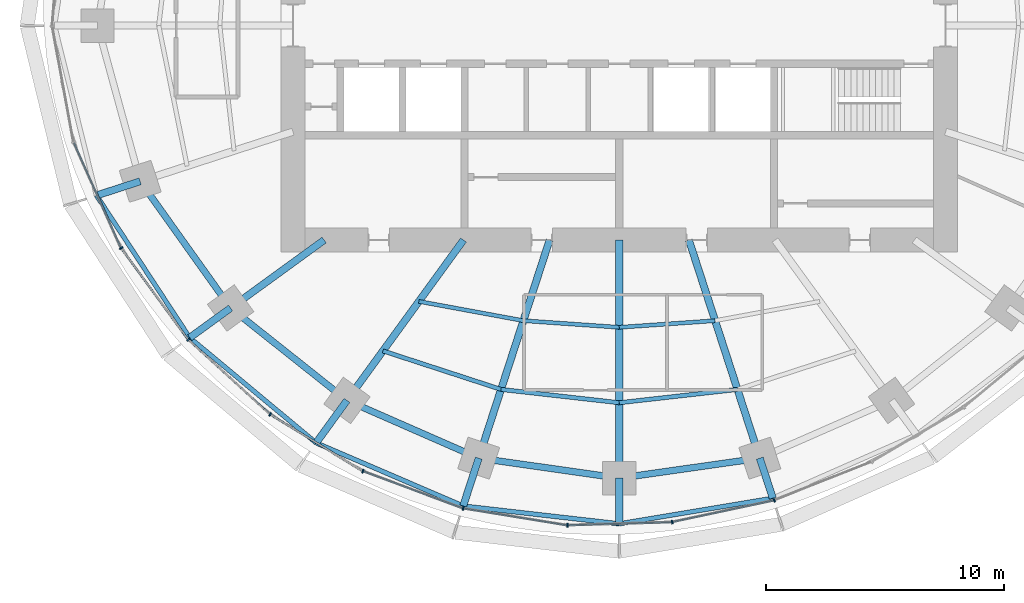
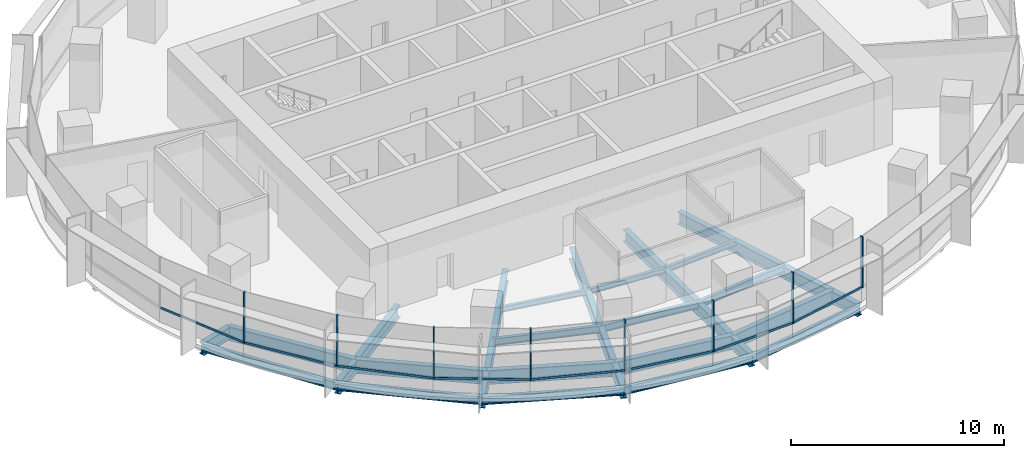
# One storey, part 2 of 14: 27 beams, 16 members, 2 elements without a shape of their own.
"""IFC4 building model written with IfcOpenShell, lengths in metres."""

from ifc_helpers import new_model, si_unit, direction, frame, origin, origin_2d, place, context, subcontext, project, spatial, rectangle, i_section, extrude, material, material_profile, profile_set, type_object, element, aggregate, save


model = new_model("IFC4")

# Units and contexts
model_context = context("Model", 3, precision=1e-05, world=origin(), true_north=direction((0.0, 1.0)))
body_context = subcontext(model_context, "Body", "Model", "MODEL_VIEW")
ifc_project = project(units=[si_unit("LENGTHUNIT", "METRE"), si_unit("AREAUNIT", "SQUARE_METRE"), si_unit("VOLUMEUNIT", "CUBIC_METRE"), si_unit("PLANEANGLEUNIT", "RADIAN"), si_unit("MASSUNIT", "GRAM", prefix="KILO")], contexts=[model_context])

# Site, building, storey
site_placement = place(None, origin())
site = spatial("IfcSite", under=ifc_project, at=site_placement, CompositionType="ELEMENT")
building_placement = place(site_placement, origin())
building = spatial("IfcBuilding", under=site, at=building_placement, Name="Marramba Exchange Tower", CompositionType="ELEMENT")
storey_placement = place(building_placement, frame((0.0, 0.0, 218.89990234375)))
storey = spatial("IfcBuildingStorey", under=building, at=storey_placement, Name="L53", CompositionType="ELEMENT", Elevation=218.89990234375)

# Beams
ifc_material_1 = material(Name="Steel AS/NZS 3679.2 grade 300", Category="steel")
ifc_material_profile_1 = material_profile(ifc_material_1, i_section(OverallWidth=0.300048828125, OverallDepth=0.699951171875, WebThickness=0.010009765625, FlangeThickness=0.031982421875, at=origin_2d()), Name="700WB173")
ifc_profile_set_1 = profile_set([ifc_material_profile_1], Name="Steel AS/NZS 3679.2 grade 300")
beam_type_1 = type_object("IfcBeamType", Name="Cantilever girder 700WB173", PredefinedType="BEAM", material=ifc_profile_set_1)
beam_1_placement = place(storey_placement, frame((-20.109375, -6.533935546875, -0.510009765625), z_axis=(-0.951071238541, -0.308971680287, 0.0), x_axis=(0.308971680287, -0.951071238541, 0.0)))
element("IfcBeam", 1, at=beam_1_placement, inside=storey, type_object=beam_type_1, Name="Cantilever girder L53 TC12", PredefinedType="BEAM", context=body_context, shape_type="SweptSolid", body=[
    extrude(i_section(OverallWidth=0.300048828125, OverallDepth=0.699951171875, WebThickness=0.010009765625, FlangeThickness=0.031982421875, at=origin_2d()), origin(), (0.0, 0.0, 1.0), 1.930419921875),
])
beam_2_placement = place(storey_placement, frame((-16.3154296875, -11.853759765625, -0.510009765625), z_axis=(-0.808969966943, -0.587849974555, 0.0), x_axis=(0.587849974555, -0.808969966943, 0.0)))
element("IfcBeam", 2, at=beam_2_placement, inside=storey, type_object=beam_type_1, Name="Cantilever girder L53 TC13", PredefinedType="BEAM", context=body_context, shape_type="SweptSolid", body=[
    extrude(i_section(OverallWidth=0.300048828125, OverallDepth=0.699951171875, WebThickness=0.010009765625, FlangeThickness=0.031982421875, at=origin_2d()), origin(), (0.0, 0.0, 1.0), 2.12109375),
])
beam_3_placement = place(storey_placement, frame((-11.430419921875, -15.732666015625, -0.510009765625), z_axis=(-0.587789596657, -0.809013837992, 0.0), x_axis=(0.809013837992, -0.587789596657, 0.0)))
element("IfcBeam", 3, at=beam_3_placement, inside=storey, type_object=beam_type_1, Name="Cantilever girder L53 TC14", PredefinedType="BEAM", context=body_context, shape_type="SweptSolid", body=[
    extrude(i_section(OverallWidth=0.300048828125, OverallDepth=0.699951171875, WebThickness=0.010009765625, FlangeThickness=0.031982421875, at=origin_2d()), origin(), (0.0, 0.0, 1.0), 2.203857421875),
])
beam_4_placement = place(storey_placement, frame((-5.899658203125, -18.156982421875, -0.510009765625), z_axis=(-0.308971068529, -0.951071437281, 0.0), x_axis=(0.951071437281, -0.308971068529, 0.0)))
element("IfcBeam", 4, at=beam_4_placement, inside=storey, type_object=beam_type_1, Name="Cantilever girder L53 TC15", PredefinedType="BEAM", context=body_context, shape_type="SweptSolid", body=[
    extrude(i_section(OverallWidth=0.300048828125, OverallDepth=0.699951171875, WebThickness=0.010009765625, FlangeThickness=0.031982421875, at=origin_2d()), origin(), (0.0, 0.0, 1.0), 2.112060546875),
])
beam_5_placement = place(storey_placement, frame((0.0, -18.99609375, -0.510009765625), z_axis=(0.0, -1.0, 0.0), x_axis=(1.0, 0.0, 0.0)))
element("IfcBeam", 5, at=beam_5_placement, inside=storey, type_object=beam_type_1, Name="Cantilever girder L53 TC16", PredefinedType="BEAM", context=body_context, shape_type="SweptSolid", body=[
    extrude(i_section(OverallWidth=0.300048828125, OverallDepth=0.699951171875, WebThickness=0.010009765625, FlangeThickness=0.031982421875, at=origin_2d()), origin(), (0.0, 0.0, 1.0), 1.917724609375),
])
beam_6_placement = place(storey_placement, frame((5.899658203125, -18.156982421875, -0.510009765625), z_axis=(0.308926813415, -0.951085813138, 0.0), x_axis=(0.951085813138, 0.308926813415, 0.0)))
element("IfcBeam", 6, at=beam_6_placement, inside=storey, type_object=beam_type_1, Name="Cantilever girder L53 TC17", PredefinedType="BEAM", context=body_context, shape_type="SweptSolid", body=[
    extrude(i_section(OverallWidth=0.300048828125, OverallDepth=0.699951171875, WebThickness=0.010009765625, FlangeThickness=0.031982421875, at=origin_2d()), origin(), (0.0, 0.0, 1.0), 1.767822265625),
])
ifc_material_2 = material(Name="Steel AS/NZS 3679.1 grade 300", Category="steel")
ifc_material_profile_2 = material_profile(ifc_material_2, i_section(OverallWidth=0.166015625, OverallDepth=0.306884765625, WebThickness=0.006591796875, FlangeThickness=0.01171875, FilletRadius=0.011474609375, at=origin_2d()), Name="310UB46.2")
ifc_profile_set_2 = profile_set([ifc_material_profile_2], Name="Steel AS/NZS 3679.1 grade 300")
beam_type_2 = type_object("IfcBeamType", Name="Floor joist 310UB46.2", PredefinedType="JOIST", material=ifc_profile_set_2)
beam_7_placement = place(storey_placement, frame((-8.41162109375, -11.57763671875, -0.3134765625), z_axis=(0.983455754421, -0.181148500119, 0.0), x_axis=(0.181148500119, 0.983455754421, 0.0)))
element("IfcBeam", 7, at=beam_7_placement, inside=storey, type_object=beam_type_2, Name="Joist L53 bay 14 row 1", PredefinedType="JOIST", context=body_context, shape_type="SweptSolid", body=[
    extrude(i_section(OverallWidth=0.166015625, OverallDepth=0.306884765625, WebThickness=0.006591796875, FlangeThickness=0.01171875, FilletRadius=0.011474609375, at=origin_2d()), origin(), (0.0, 0.0, 1.0), 4.4609375),
])
for number, where, z_axis, x_axis, name in (
    (8, (-4.0244140625, -12.3857421875, -0.3134765625), (0.99759625901, -0.069294328838, 0.0), (0.069294328838, 0.99759625901, 0.0), "Joist L53 bay 15 row 1"),
    (9, (0.0, -12.665283203125, -0.3134765625), (0.99759625901, 0.069294328838, 0.0), (-0.069294328838, 0.99759625901, 0.0), "Joist L53 bay 16 row 1"),
):
    element("IfcBeam", number, at=place(storey_placement, frame(where, z_axis=z_axis, x_axis=x_axis)), inside=storey, type_object=beam_type_2, Name=name, PredefinedType="JOIST", context=body_context, shape_type="SweptSolid", body=[
        extrude(i_section(OverallWidth=0.166015625, OverallDepth=0.306884765625, WebThickness=0.006591796875, FlangeThickness=0.01171875, FilletRadius=0.011474609375, at=origin_2d()), origin(), (0.0, 0.0, 1.0), 4.0341796875),
    ])
ifc_material_profile_3 = material_profile(ifc_material_2, i_section(OverallWidth=0.177978515625, OverallDepth=0.406005859375, WebThickness=0.0078125, FlangeThickness=0.0126953125, FilletRadius=0.011474609375, at=origin_2d()), Name="410UB59.7")
ifc_profile_set_3 = profile_set([ifc_material_profile_3], Name="Steel AS/NZS 3679.1 grade 300")
beam_type_3 = type_object("IfcBeamType", Name="Floor joist 410UB59.7", PredefinedType="JOIST", material=ifc_profile_set_3)
beam_8_placement = place(storey_placement, frame((-9.9208984375, -13.655029296875, -0.36279296875), z_axis=(0.950764024931, -0.309915744834, 0.0), x_axis=(0.309915744834, 0.950764024931, 0.0)))
element("IfcBeam", 10, at=beam_8_placement, inside=storey, type_object=beam_type_3, Name="Joist L53 bay 14 row 2", PredefinedType="JOIST", context=body_context, shape_type="SweptSolid", body=[
    extrude(i_section(OverallWidth=0.177978515625, OverallDepth=0.406005859375, WebThickness=0.0078125, FlangeThickness=0.0126953125, FilletRadius=0.011474609375, at=origin_2d()), origin(), (0.0, 0.0, 1.0), 5.2158203125),
])
for number, where, z_axis, x_axis, name in (
    (11, (-4.9619140625, -15.271484375, -0.36279296875), (0.993712018573, -0.111966174106, 0.0), (0.111966174106, 0.993712018573, 0.0), "Joist L53 bay 15 row 2"),
    (12, (0.0, -15.83056640625, -0.36279296875), (0.993712018573, 0.111966174106, 0.0), (-0.111966174106, 0.993712018573, 0.0), "Joist L53 bay 16 row 2"),
):
    element("IfcBeam", number, at=place(storey_placement, frame(where, z_axis=z_axis, x_axis=x_axis)), inside=storey, type_object=beam_type_3, Name=name, PredefinedType="JOIST", context=body_context, shape_type="SweptSolid", body=[
        extrude(i_section(OverallWidth=0.177978515625, OverallDepth=0.406005859375, WebThickness=0.0078125, FlangeThickness=0.0126953125, FilletRadius=0.011474609375, at=origin_2d()), origin(), (0.0, 0.0, 1.0), 4.993408203125),
    ])

# Curtain wall, members
ifc_material_3 = material(Name="Aluminium framing, bronze anodised", Category="aluminium")
curtain_wall_type = type_object("IfcCurtainWallType", Name="Office ribbon curtain wall", PredefinedType="USERDEFINED", material=ifc_material_3)
curtain_wall_1_placement = place(storey_placement, origin())
curtain_wall_1 = element("IfcCurtainWall", 13, at=curtain_wall_1_placement, inside=storey, type_object=curtain_wall_type, Name="Curtain wall CW4 L53 F16-F20", ObjectType="RIBBON CURTAIN WALL", PredefinedType="USERDEFINED")
ifc_material_4 = material(Name="Aluminium mullion, bronze anodised", Category="aluminium")
ifc_material_profile_4 = material_profile(ifc_material_4, rectangle(XDim=0.159912109375, YDim=0.06005859375, at=origin_2d()), Name="CW4 mullion 60x160")
ifc_profile_set_4 = profile_set([ifc_material_profile_4], Name="Aluminium mullion, bronze anodised")
member_type_1 = type_object("IfcMemberType", Name="Office ribbon curtain wall mullion", PredefinedType="MULLION", material=ifc_profile_set_4)
member_1_placement = place(storey_placement, frame((-20.910400390625, -9.342041015625, 0.800048828125), z_axis=(0.0, 0.0, 1.0), x_axis=(0.806508054547, 0.591223103363, 0.0)))
member_1 = element("IfcMember", 14, at=member_1_placement, type_object=member_type_1, Name="CW4 mullion 1", PredefinedType="MULLION", context=body_context, shape_type="SweptSolid", body=[
    extrude(rectangle(XDim=0.159912109375, YDim=0.06005859375, at=origin_2d()), origin(), (0.0, 0.0, 1.0), 2.93994140625),
])
member_2_placement = place(storey_placement, frame((-18.090087890625, -13.179443359375, 0.800048828125), z_axis=(0.0, 0.0, 1.0), x_axis=(0.67567103474, 0.737203264245, 0.0)))
member_2 = element("IfcMember", 15, at=member_2_placement, type_object=member_type_1, Name="CW4 mullion 1", PredefinedType="MULLION", context=body_context, shape_type="SweptSolid", body=[
    extrude(rectangle(XDim=0.159912109375, YDim=0.06005859375, at=origin_2d()), origin(), (0.0, 0.0, 1.0), 2.93994140625),
])
member_3_placement = place(storey_placement, frame((-14.655029296875, -16.320068359375, 0.800048828125), z_axis=(0.0, 0.0, 1.0), x_axis=(0.52305160869, 0.85230101176, 0.0)))
member_3 = element("IfcMember", 16, at=member_3_placement, type_object=member_type_1, Name="CW4 mullion 1", PredefinedType="MULLION", context=body_context, shape_type="SweptSolid", body=[
    extrude(rectangle(XDim=0.159912109375, YDim=0.06005859375, at=origin_2d()), origin(), (0.0, 0.0, 1.0), 2.93994140625),
])

curtain_wall_2_placement = place(storey_placement, origin())
curtain_wall_2 = element("IfcCurtainWall", 17, at=curtain_wall_2_placement, inside=storey, type_object=curtain_wall_type, Name="Curtain wall CW4 L53 F21-F25", ObjectType="RIBBON CURTAIN WALL", PredefinedType="USERDEFINED")
member_4_placement = place(storey_placement, frame((-10.76318359375, -18.70166015625, 0.800048828125), z_axis=(0.0, 0.0, 1.0), x_axis=(0.349459197687, 0.936951583142, 0.0)))
member_4 = element("IfcMember", 18, at=member_4_placement, type_object=member_type_1, Name="CW4 mullion 1", PredefinedType="MULLION", context=body_context, shape_type="SweptSolid", body=[
    extrude(rectangle(XDim=0.159912109375, YDim=0.06005859375, at=origin_2d()), origin(), (0.0, 0.0, 1.0), 2.93994140625),
])
member_5_placement = place(storey_placement, frame((-6.553466796875, -20.265625, 0.800048828125), z_axis=(0.0, 0.0, 1.0), x_axis=(0.161145726194, 0.986930623159, 0.0)))
member_5 = element("IfcMember", 19, at=member_5_placement, type_object=member_type_1, Name="CW4 mullion 1", PredefinedType="MULLION", context=body_context, shape_type="SweptSolid", body=[
    extrude(rectangle(XDim=0.159912109375, YDim=0.06005859375, at=origin_2d()), origin(), (0.0, 0.0, 1.0), 2.93994140625),
])
member_6_placement = place(storey_placement, frame((-2.174560546875, -20.974853515625, 0.800048828125), z_axis=(0.0, 0.0, 1.0), x_axis=(-0.029393451762, 0.99956791915, 0.0)))
member_6 = element("IfcMember", 20, at=member_6_placement, type_object=member_type_1, Name="CW4 mullion 1", PredefinedType="MULLION", context=body_context, shape_type="SweptSolid", body=[
    extrude(rectangle(XDim=0.159912109375, YDim=0.06005859375, at=origin_2d()), origin(), (0.0, 0.0, 1.0), 2.93994140625),
])
member_7_placement = place(storey_placement, frame((2.220458984375, -20.840087890625, 0.800048828125), z_axis=(0.0, 0.0, 1.0), x_axis=(-0.208332456608, 0.978058069607, 0.0)))
member_7 = element("IfcMember", 21, at=member_7_placement, type_object=member_type_1, Name="CW4 mullion 1", PredefinedType="MULLION", context=body_context, shape_type="SweptSolid", body=[
    extrude(rectangle(XDim=0.159912109375, YDim=0.06005859375, at=origin_2d()), origin(), (0.0, 0.0, 1.0), 2.93994140625),
])
member_8_placement = place(storey_placement, frame((6.504638671875, -19.922607421875, 0.800048828125), z_axis=(0.0, 0.0, 1.0), x_axis=(-0.367374724195, 0.93007301435, 0.0)))
member_8 = element("IfcMember", 22, at=member_8_placement, type_object=member_type_1, Name="CW4 mullion 1", PredefinedType="MULLION", context=body_context, shape_type="SweptSolid", body=[
    extrude(rectangle(XDim=0.159912109375, YDim=0.06005859375, at=origin_2d()), origin(), (0.0, 0.0, 1.0), 2.93994140625),
])

# Member
ifc_material_5 = material(Name="Aluminium transom, bronze anodised", Category="aluminium")
ifc_material_profile_5 = material_profile(ifc_material_5, rectangle(XDim=0.06005859375, YDim=0.1201171875, at=origin_2d()), Name="CW4 transom 60x120")
ifc_profile_set_5 = profile_set([ifc_material_profile_5], Name="Aluminium transom, bronze anodised")
member_type_2 = type_object("IfcMemberType", Name="Office ribbon curtain wall transom", PredefinedType="USERDEFINED", material=ifc_profile_set_5)
member_9_placement = place(storey_placement, frame((-22.888671875, -4.925048828125, 0.830078125), z_axis=(0.407541263131, -0.913186792965, 0.0), x_axis=(0.913186792965, 0.407541263131, 0.0)))
member_9 = element("IfcMember", 23, at=member_9_placement, type_object=member_type_2, Name="CW4 sill transom", ObjectType="TRANSOM", PredefinedType="USERDEFINED", context=body_context, shape_type="SweptSolid", body=[
    extrude(rectangle(XDim=0.06005859375, YDim=0.1201171875, at=origin_2d()), origin(), (0.0, 0.0, 1.0), 4.810546875),
])

member_10_placement = place(storey_placement, frame((-20.892578125, -9.3662109375, 0.830078125), z_axis=(0.591226373184, -0.806505657545, 0.0), x_axis=(0.806505657545, 0.591226373184, 0.0)))
member_10 = element("IfcMember", 24, at=member_10_placement, type_object=member_type_2, Name="CW4 sill transom", ObjectType="TRANSOM", PredefinedType="USERDEFINED", context=body_context, shape_type="SweptSolid", body=[
    extrude(rectangle(XDim=0.06005859375, YDim=0.1201171875, at=origin_2d()), origin(), (0.0, 0.0, 1.0), 4.702880859375),
])

member_11_placement = place(storey_placement, frame((-18.06787109375, -13.19970703125, 0.830078125), z_axis=(0.737176195283, -0.675700567639, 0.0), x_axis=(0.675700567639, 0.737176195283, 0.0)))
member_11 = element("IfcMember", 25, at=member_11_placement, type_object=member_type_2, Name="CW4 sill transom", ObjectType="TRANSOM", PredefinedType="USERDEFINED", context=body_context, shape_type="SweptSolid", body=[
    extrude(rectangle(XDim=0.06005859375, YDim=0.1201171875, at=origin_2d()), origin(), (0.0, 0.0, 1.0), 4.5947265625),
])

member_12_placement = place(storey_placement, frame((-14.62939453125, -16.335693359375, 0.830078125), z_axis=(0.852298011003, -0.523056498325, 0.0), x_axis=(0.523056498325, 0.852298011003, 0.0)))
member_12 = element("IfcMember", 26, at=member_12_placement, type_object=member_type_2, Name="CW4 sill transom", ObjectType="TRANSOM", PredefinedType="USERDEFINED", context=body_context, shape_type="SweptSolid", body=[
    extrude(rectangle(XDim=0.06005859375, YDim=0.1201171875, at=origin_2d()), origin(), (0.0, 0.0, 1.0), 4.503173828125),
])

aggregate(curtain_wall_1, [member_9, member_1, member_10, member_2, member_11, member_3, member_12])

member_13_placement = place(storey_placement, frame((-10.735107421875, -18.712158203125, 0.830078125), z_axis=(0.936954830677, -0.349450490444, 0.0), x_axis=(0.349450490444, 0.936954830677, 0.0)))
member_13 = element("IfcMember", 27, at=member_13_placement, type_object=member_type_2, Name="CW4 sill transom", ObjectType="TRANSOM", PredefinedType="USERDEFINED", context=body_context, shape_type="SweptSolid", body=[
    extrude(rectangle(XDim=0.06005859375, YDim=0.1201171875, at=origin_2d()), origin(), (0.0, 0.0, 1.0), 4.431396484375),
])

member_14_placement = place(storey_placement, frame((-6.52392578125, -20.2705078125, 0.830078125), z_axis=(0.986937225488, -0.161105285282, 0.0), x_axis=(0.161105285282, 0.986937225488, 0.0)))
member_14 = element("IfcMember", 28, at=member_14_placement, type_object=member_type_2, Name="CW4 sill transom", ObjectType="TRANSOM", PredefinedType="USERDEFINED", context=body_context, shape_type="SweptSolid", body=[
    extrude(rectangle(XDim=0.06005859375, YDim=0.1201171875, at=origin_2d()), origin(), (0.0, 0.0, 1.0), 4.37646484375),
])

member_15_placement = place(storey_placement, frame((-2.144775390625, -20.973876953125, 0.830078125), z_axis=(0.999568338005, 0.029379204529, 0.0), x_axis=(-0.029379204529, 0.999568338005, 0.0)))
member_15 = element("IfcMember", 29, at=member_15_placement, type_object=member_type_2, Name="CW4 sill transom", ObjectType="TRANSOM", PredefinedType="USERDEFINED", context=body_context, shape_type="SweptSolid", body=[
    extrude(rectangle(XDim=0.06005859375, YDim=0.1201171875, at=origin_2d()), origin(), (0.0, 0.0, 1.0), 4.337890625),
])

member_16_placement = place(storey_placement, frame((2.249755859375, -20.833984375, 0.830078125), z_axis=(0.978057951839, 0.208333009494, 0.0), x_axis=(-0.208333009494, 0.978057951839, 0.0)))
member_16 = element("IfcMember", 30, at=member_16_placement, type_object=member_type_2, Name="CW4 sill transom", ObjectType="TRANSOM", PredefinedType="USERDEFINED", context=body_context, shape_type="SweptSolid", body=[
    extrude(rectangle(XDim=0.06005859375, YDim=0.1201171875, at=origin_2d()), origin(), (0.0, 0.0, 1.0), 4.32177734375),
])

aggregate(curtain_wall_2, [member_4, member_13, member_5, member_14, member_6, member_15, member_7, member_16, member_8])

# Beams
ifc_material_profile_6 = material_profile(ifc_material_1, i_section(OverallWidth=0.300048828125, OverallDepth=0.699951171875, WebThickness=0.010009765625, FlangeThickness=0.031982421875, at=origin_2d()), Name="700WB173")
ifc_profile_set_6 = profile_set([ifc_material_profile_6], Name="Steel AS/NZS 3679.2 grade 300")
beam_type_4 = type_object("IfcBeamType", Name="Radial girder 700WB173", PredefinedType="BEAM", material=ifc_profile_set_6)
beam_9_placement = place(storey_placement, frame((-12.387451171875, -9.0, -0.510009765625), z_axis=(-0.809025189606, -0.58777397236, 0.0), x_axis=(0.58777397236, -0.809025189606, 0.0)))
element("IfcBeam", 31, at=beam_9_placement, inside=storey, type_object=beam_type_4, Name="Radial girder L53 TC13", PredefinedType="BEAM", context=body_context, shape_type="SweptSolid", body=[
    extrude(i_section(OverallWidth=0.300048828125, OverallDepth=0.699951171875, WebThickness=0.010009765625, FlangeThickness=0.031982421875, at=origin_2d()), origin(), (0.0, 0.0, 1.0), 4.855224609375),
])
beam_10_placement = place(storey_placement, frame((-6.538818359375, -9.0, -0.510009765625), z_axis=(-0.587787877172, -0.809015087282, 0.0), x_axis=(0.809015087282, -0.587787877172, 0.0)))
element("IfcBeam", 32, at=beam_10_placement, inside=storey, type_object=beam_type_4, Name="Radial girder L53 TC14", PredefinedType="BEAM", context=body_context, shape_type="SweptSolid", body=[
    extrude(i_section(OverallWidth=0.300048828125, OverallDepth=0.699951171875, WebThickness=0.010009765625, FlangeThickness=0.031982421875, at=origin_2d()), origin(), (0.0, 0.0, 1.0), 8.322021484375),
])
beam_11_placement = place(storey_placement, frame((-2.92431640625, -9.0, -0.510009765625), z_axis=(-0.309022428985, -0.951054750466, 0.0), x_axis=(0.951054750466, -0.309022428985, 0.0)))
element("IfcBeam", 33, at=beam_11_placement, inside=storey, type_object=beam_type_4, Name="Radial girder L53 TC15", PredefinedType="BEAM", context=body_context, shape_type="SweptSolid", body=[
    extrude(i_section(OverallWidth=0.300048828125, OverallDepth=0.699951171875, WebThickness=0.010009765625, FlangeThickness=0.031982421875, at=origin_2d()), origin(), (0.0, 0.0, 1.0), 9.628173828125),
])
beam_12_placement = place(storey_placement, frame((0.0, -9.0, -0.510009765625), z_axis=(0.0, -1.0, 0.0), x_axis=(1.0, 0.0, 0.0)))
element("IfcBeam", 34, at=beam_12_placement, inside=storey, type_object=beam_type_4, Name="Radial girder L53 TC16", PredefinedType="BEAM", context=body_context, shape_type="SweptSolid", body=[
    extrude(i_section(OverallWidth=0.300048828125, OverallDepth=0.699951171875, WebThickness=0.010009765625, FlangeThickness=0.031982421875, at=origin_2d()), origin(), (0.0, 0.0, 1.0), 9.99609375),
])
beam_13_placement = place(storey_placement, frame((2.92431640625, -9.0, -0.510009765625), z_axis=(0.309022428985, -0.951054750466, 0.0), x_axis=(0.951054750466, 0.309022428985, 0.0)))
element("IfcBeam", 35, at=beam_13_placement, inside=storey, type_object=beam_type_4, Name="Radial girder L53 TC17", PredefinedType="BEAM", context=body_context, shape_type="SweptSolid", body=[
    extrude(i_section(OverallWidth=0.300048828125, OverallDepth=0.699951171875, WebThickness=0.010009765625, FlangeThickness=0.031982421875, at=origin_2d()), origin(), (0.0, 0.0, 1.0), 9.628173828125),
])
ifc_material_profile_7 = material_profile(ifc_material_1, i_section(OverallWidth=0.27490234375, OverallDepth=0.800048828125, WebThickness=0.010009765625, FlangeThickness=0.02490234375, at=origin_2d()), Name="800WB168")
ifc_profile_set_7 = profile_set([ifc_material_profile_7], Name="Steel AS/NZS 3679.2 grade 300")
beam_type_5 = type_object("IfcBeamType", Name="Ring beam 800WB168", PredefinedType="SPANDREL", material=ifc_profile_set_7)
beam_14_placement = place(storey_placement, frame((-20.109375, -6.533935546875, -0.559814453125), z_axis=(0.580637181111, -0.814162430914, 0.0), x_axis=(0.814162430914, 0.580637181111, 0.0)))
element("IfcBeam", 36, at=beam_14_placement, inside=storey, type_object=beam_type_5, Name="Ring beam L53 TC12-TC13", PredefinedType="SPANDREL", context=body_context, shape_type="SweptSolid", body=[
    extrude(i_section(OverallWidth=0.27490234375, OverallDepth=0.800048828125, WebThickness=0.010009765625, FlangeThickness=0.02490234375, at=origin_2d()), origin(), (0.0, 0.0, 1.0), 6.5341796875),
])
beam_15_placement = place(storey_placement, frame((-16.3154296875, -11.853759765625, -0.559814453125), z_axis=(0.783139438128, -0.621846138887, 0.0), x_axis=(0.621846138887, 0.783139438128, 0.0)))
element("IfcBeam", 37, at=beam_15_placement, inside=storey, type_object=beam_type_5, Name="Ring beam L53 TC13-TC14", PredefinedType="SPANDREL", context=body_context, shape_type="SweptSolid", body=[
    extrude(i_section(OverallWidth=0.27490234375, OverallDepth=0.800048828125, WebThickness=0.010009765625, FlangeThickness=0.02490234375, at=origin_2d()), origin(), (0.0, 0.0, 1.0), 6.23779296875),
])
beam_16_placement = place(storey_placement, frame((-11.430419921875, -15.732666015625, -0.559814453125), z_axis=(0.915876892158, -0.4014592363, 0.0), x_axis=(0.4014592363, 0.915876892158, 0.0)))
element("IfcBeam", 38, at=beam_16_placement, inside=storey, type_object=beam_type_5, Name="Ring beam L53 TC14-TC15", PredefinedType="SPANDREL", context=body_context, shape_type="SweptSolid", body=[
    extrude(i_section(OverallWidth=0.27490234375, OverallDepth=0.800048828125, WebThickness=0.010009765625, FlangeThickness=0.02490234375, at=origin_2d()), origin(), (0.0, 0.0, 1.0), 6.038818359375),
])
for number, where, z_axis, x_axis, name in (
    (39, (-5.899658203125, -18.156982421875, -0.559814453125), (0.990036163016, -0.140813337152, 0.0), (0.140813337152, 0.990036163016, 0.0), "Ring beam L53 TC15-TC16"),
    (40, (0.0, -18.99609375, -0.559814453125), (0.990036163016, 0.140813337152, 0.0), (-0.140813337152, 0.990036163016, 0.0), "Ring beam L53 TC16-TC17"),
):
    element("IfcBeam", number, at=place(storey_placement, frame(where, z_axis=z_axis, x_axis=x_axis)), inside=storey, type_object=beam_type_5, Name=name, PredefinedType="SPANDREL", context=body_context, shape_type="SweptSolid", body=[
        extrude(i_section(OverallWidth=0.27490234375, OverallDepth=0.800048828125, WebThickness=0.010009765625, FlangeThickness=0.02490234375, at=origin_2d()), origin(), (0.0, 0.0, 1.0), 5.958984375),
    ])
ifc_material_profile_8 = material_profile(ifc_material_2, i_section(OverallWidth=0.19091796875, OverallDepth=0.4599609375, WebThickness=0.010009765625, FlangeThickness=0.01611328125, FilletRadius=0.011474609375, at=origin_2d()), Name="460UB82.1")
ifc_profile_set_8 = profile_set([ifc_material_profile_8], Name="Steel AS/NZS 3679.1 grade 300")
beam_type_6 = type_object("IfcBeamType", Name="Slab edge beam 460UB82.1", PredefinedType="SPANDREL", material=ifc_profile_set_8)
beam_17_placement = place(storey_placement, frame((-21.9453125, -7.13037109375, -0.389892578125), z_axis=(0.548275412052, -0.83629783722, 0.0), x_axis=(0.83629783722, 0.548275412052, 0.0)))
element("IfcBeam", 41, at=beam_17_placement, inside=storey, type_object=beam_type_6, Name="Slab edge beam L53 TC12-TC13", PredefinedType="SPANDREL", context=body_context, shape_type="SweptSolid", body=[
    extrude(i_section(OverallWidth=0.19091796875, OverallDepth=0.4599609375, WebThickness=0.010009765625, FlangeThickness=0.01611328125, FilletRadius=0.011474609375, at=origin_2d()), origin(), (0.0, 0.0, 1.0), 7.138916015625),
])
beam_18_placement = place(storey_placement, frame((-18.03125, -13.1005859375, -0.389892578125), z_axis=(0.768658895231, -0.639658895649, 0.0), x_axis=(0.639658895649, 0.768658895231, 0.0)))
element("IfcBeam", 42, at=beam_18_placement, inside=storey, type_object=beam_type_6, Name="Slab edge beam L53 TC13-TC14", PredefinedType="SPANDREL", context=body_context, shape_type="SweptSolid", body=[
    extrude(i_section(OverallWidth=0.19091796875, OverallDepth=0.4599609375, WebThickness=0.010009765625, FlangeThickness=0.01611328125, FilletRadius=0.011474609375, at=origin_2d()), origin(), (0.0, 0.0, 1.0), 6.902099609375),
])
beam_19_placement = place(storey_placement, frame((-12.725830078125, -17.515625, -0.389892578125), z_axis=(0.9189117964, -0.394463065999, 0.0), x_axis=(0.394463065999, 0.9189117964, 0.0)))
element("IfcBeam", 43, at=beam_19_placement, inside=storey, type_object=beam_type_6, Name="Slab edge beam L53 TC14-TC15", PredefinedType="SPANDREL", context=body_context, shape_type="SweptSolid", body=[
    extrude(i_section(OverallWidth=0.19091796875, OverallDepth=0.4599609375, WebThickness=0.010009765625, FlangeThickness=0.01611328125, FilletRadius=0.011474609375, at=origin_2d()), origin(), (0.0, 0.0, 1.0), 6.71826171875),
])
beam_20_placement = place(storey_placement, frame((-6.55224609375, -20.165771484375, -0.389892578125), z_axis=(0.993546030009, -0.113429653325, 0.0), x_axis=(0.113429653325, 0.993546030009, 0.0)))
element("IfcBeam", 44, at=beam_20_placement, inside=storey, type_object=beam_type_6, Name="Slab edge beam L53 TC15-TC16", PredefinedType="SPANDREL", context=body_context, shape_type="SweptSolid", body=[
    extrude(i_section(OverallWidth=0.19091796875, OverallDepth=0.4599609375, WebThickness=0.010009765625, FlangeThickness=0.01611328125, FilletRadius=0.011474609375, at=origin_2d()), origin(), (0.0, 0.0, 1.0), 6.5947265625),
])
beam_21_placement = place(storey_placement, frame((0.0, -20.913818359375, -0.389892578125), z_axis=(0.986365637189, 0.164568617219, 0.0), x_axis=(-0.164568617219, 0.986365637189, 0.0)))
element("IfcBeam", 45, at=beam_21_placement, inside=storey, type_object=beam_type_6, Name="Slab edge beam L53 TC16-TC17", PredefinedType="SPANDREL", context=body_context, shape_type="SweptSolid", body=[
    extrude(i_section(OverallWidth=0.19091796875, OverallDepth=0.4599609375, WebThickness=0.010009765625, FlangeThickness=0.01611328125, FilletRadius=0.011474609375, at=origin_2d()), origin(), (0.0, 0.0, 1.0), 6.534912109375),
])

save(model, "model.ifc")
